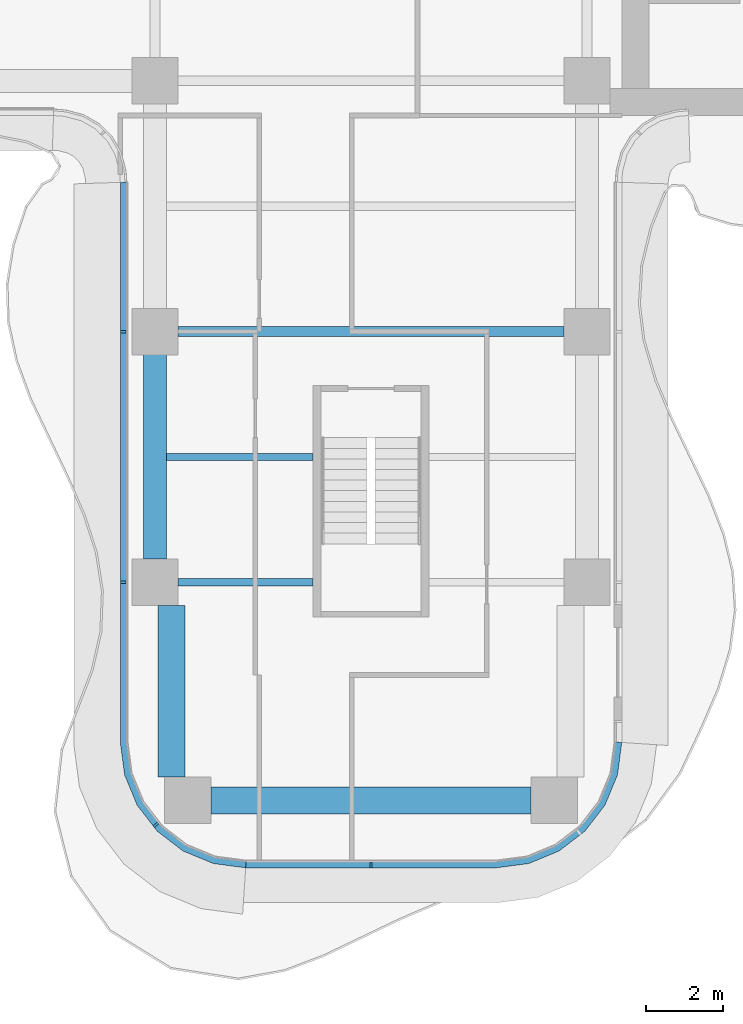
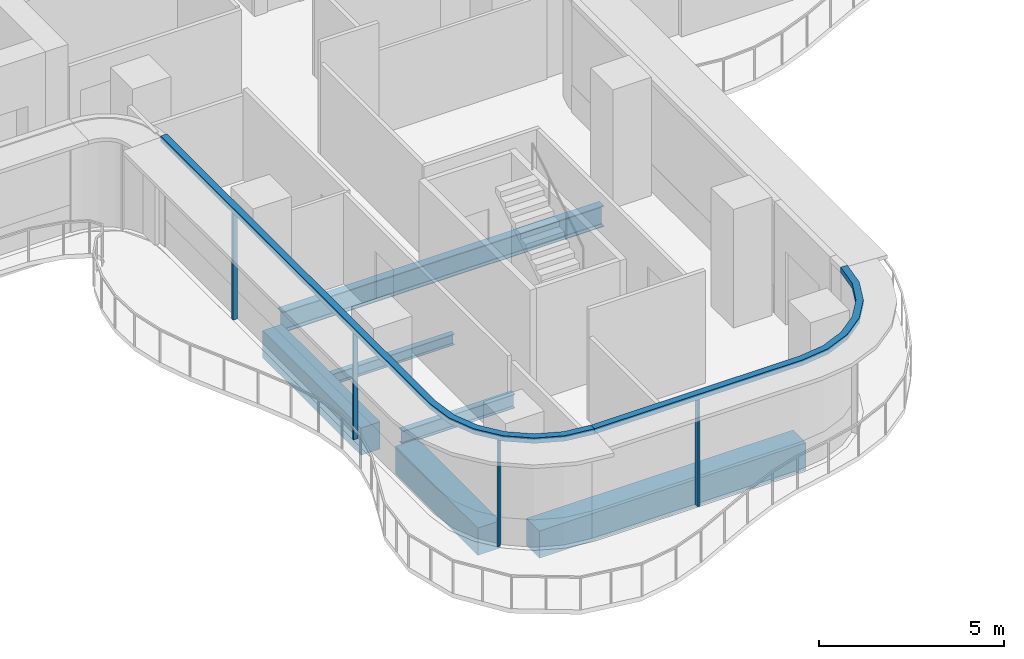
# One storey, part 2 of 18: 6 beams, 6 members, 2 elements without a shape of their own.
"""IFC4 building model written with IfcOpenShell, lengths in metres."""

from ifc_helpers import new_model, si_unit, direction, frame, origin, origin_2d, place, context, subcontext, project, spatial, polyline, rectangle, i_section, outline, extrude, source, transform, mapped, material, layer, layer_set, material_profile, profile_set, type_object, element, aggregate, save


model = new_model("IFC4")

# Units and contexts
model_context = context("Model", 3, precision=1e-05, world=origin(), true_north=direction((0.0, 1.0)))
body_context = subcontext(model_context, "Body", "Model", "MODEL_VIEW")
ifc_project = project(units=[si_unit("LENGTHUNIT", "METRE"), si_unit("AREAUNIT", "SQUARE_METRE"), si_unit("VOLUMEUNIT", "CUBIC_METRE"), si_unit("PLANEANGLEUNIT", "RADIAN"), si_unit("MASSUNIT", "GRAM", prefix="KILO")], contexts=[model_context])

# Site, building, storey
site_placement = place(None, origin())
site = spatial("IfcSite", under=ifc_project, at=site_placement, CompositionType="ELEMENT")
building_placement = place(site_placement, origin())
building = spatial("IfcBuilding", under=site, at=building_placement, Name="Trellis Farm Tower", CompositionType="ELEMENT")
storey_placement = place(building_placement, frame((0.0, 0.0, 169.800048828125)))
storey = spatial("IfcBuildingStorey", under=building, at=storey_placement, Name="L36", CompositionType="ELEMENT", Elevation=169.800048828125)

# Beams
ifc_material_1 = material(Name="Steel S355", Category="steel")
ifc_material_profile_1 = material_profile(ifc_material_1, i_section(OverallWidth=0.1904296875, OverallDepth=0.45703125, WebThickness=0.009033203125, FlangeThickness=0.014404296875, FilletRadius=0.01025390625, at=origin_2d()), Name="UB 457x191x74")
ifc_profile_set_1 = profile_set([ifc_material_profile_1], Name="Steel S355")
beam_type_1 = type_object("IfcBeamType", Name="UB 457x191x74", PredefinedType="BEAM", material=ifc_profile_set_1)
shared_shape_1 = source(origin(), body_context, "Body", "SweptSolid", [
    extrude(i_section(OverallWidth=0.1904296875, OverallDepth=0.45703125, WebThickness=0.009033203125, FlangeThickness=0.014404296875, FilletRadius=0.01025390625, at=origin_2d()), origin(), (0.0, 0.0, 1.0), 3.5),
])
beam_1_placement = place(storey_placement, frame((-5.0, -18.60009765625, -0.428466796875), z_axis=(1.0, 0.0, 0.0), x_axis=(0.0, 1.0, 0.0)))
element("IfcBeam", 1, at=beam_1_placement, inside=storey, type_object=beam_type_1, Name="Girder", PredefinedType="BEAM", context=body_context, shape_type="MappedRepresentation", body=[
    mapped(shared_shape_1, transform((0.0, 0.0, 0.0))),
])
ifc_material_2 = material(Name="Concrete C60/75", Category="concrete")
ifc_material_profile_2 = material_profile(ifc_material_2, rectangle(XDim=0.60009765625, YDim=0.89990234375, at=origin_2d()), Name="RC spandrel beam 600x900 C60/75")
ifc_profile_set_2 = profile_set([ifc_material_profile_2], Name="Concrete C60/75")
beam_type_2 = type_object("IfcBeamType", Name="RC spandrel beam 600x900 C60/75", PredefinedType="SPANDREL", material=ifc_profile_set_2)
shared_shape_2 = source(origin(), body_context, "Body", "SweptSolid", [
    extrude(rectangle(XDim=0.60009765625, YDim=0.89990234375, at=origin_2d()), origin(), (0.0, 0.0, 1.0), 5.300048828125),
])
beam_2_placement = place(storey_placement, frame((-5.60009765625, -18.0, -0.650146484375), z_axis=(0.0, 1.0, 0.0), x_axis=(-1.0, 0.0, 0.0)))
element("IfcBeam", 2, at=beam_2_placement, inside=storey, type_object=beam_type_2, Name="Girder", PredefinedType="SPANDREL", context=body_context, shape_type="MappedRepresentation", body=[
    mapped(shared_shape_2, transform((0.0, 0.0, 0.0))),
])
ifc_material_profile_3 = material_profile(ifc_material_1, i_section(OverallWidth=0.253662109375, OverallDepth=0.68359375, WebThickness=0.012451171875, FlangeThickness=0.021728515625, FilletRadius=0.01513671875, at=origin_2d()), Name="UB 686x254x140")
ifc_profile_set_3 = profile_set([ifc_material_profile_3], Name="Steel S355")
beam_type_3 = type_object("IfcBeamType", Name="UB 686x254x140", PredefinedType="BEAM", material=ifc_profile_set_3)
shared_shape_3 = source(origin(), body_context, "Body", "SweptSolid", [
    extrude(i_section(OverallWidth=0.253662109375, OverallDepth=0.68359375, WebThickness=0.012451171875, FlangeThickness=0.021728515625, FilletRadius=0.01513671875, at=origin_2d()), origin(), (0.0, 0.0, 1.0), 10.0),
])
beam_3_placement = place(storey_placement, frame((-5.0, -12.10009765625, -0.541748046875), z_axis=(1.0, 0.0, 0.0), x_axis=(0.0, 1.0, 0.0)))
element("IfcBeam", 3, at=beam_3_placement, inside=storey, type_object=beam_type_3, Name="Girder", PredefinedType="BEAM", context=body_context, shape_type="MappedRepresentation", body=[
    mapped(shared_shape_3, transform((0.0, 0.0, 0.0))),
])
ifc_material_profile_4 = material_profile(ifc_material_2, rectangle(XDim=0.699951171875, YDim=0.89990234375, at=origin_2d()), Name="RC spandrel beam 700x900 C60/75")
ifc_profile_set_4 = profile_set([ifc_material_profile_4], Name="Concrete C60/75")
beam_type_4 = type_object("IfcBeamType", Name="RC spandrel beam 700x900 C60/75", PredefinedType="SPANDREL", material=ifc_profile_set_4)
shared_shape_4 = source(origin(), body_context, "Body", "SweptSolid", [
    extrude(rectangle(XDim=0.699951171875, YDim=0.89990234375, at=origin_2d()), origin(), (0.0, 0.0, 1.0), 8.2998046875),
])
beam_4_placement = place(storey_placement, frame((-4.14990234375, -24.25, -0.650146484375), z_axis=(1.0, 0.0, 0.0), x_axis=(0.0, 1.0, 0.0)))
element("IfcBeam", 4, at=beam_4_placement, inside=storey, type_object=beam_type_4, Name="Girder", PredefinedType="SPANDREL", context=body_context, shape_type="MappedRepresentation", body=[
    mapped(shared_shape_4, transform((0.0, 0.0, 0.0))),
])
shared_shape_5 = source(origin(), body_context, "Body", "SweptSolid", [
    extrude(rectangle(XDim=0.699951171875, YDim=0.89990234375, at=origin_2d()), origin(), (0.0, 0.0, 1.0), 4.449951171875),
])
beam_5_placement = place(storey_placement, frame((-5.175048828125, -23.64990234375, -0.650146484375), z_axis=(0.0, 1.0, 0.0), x_axis=(-1.0, 0.0, 0.0)))
element("IfcBeam", 5, at=beam_5_placement, inside=storey, type_object=beam_type_4, Name="Girder", PredefinedType="SPANDREL", context=body_context, shape_type="MappedRepresentation", body=[
    mapped(shared_shape_5, transform((0.0, 0.0, 0.0))),
])
ifc_material_profile_5 = material_profile(ifc_material_1, i_section(OverallWidth=0.17138671875, OverallDepth=0.35498046875, WebThickness=0.00732421875, FlangeThickness=0.011474609375, FilletRadius=0.01025390625, at=origin_2d()), Name="UB 356x171x51")
ifc_profile_set_5 = profile_set([ifc_material_profile_5], Name="Steel S355")
beam_type_5 = type_object("IfcBeamType", Name="UB 356x171x51 joist", PredefinedType="JOIST", material=ifc_profile_set_5)
shared_shape_6 = source(origin(), body_context, "Body", "SweptSolid", [
    extrude(i_section(OverallWidth=0.17138671875, OverallDepth=0.35498046875, WebThickness=0.00732421875, FlangeThickness=0.011474609375, FilletRadius=0.01025390625, at=origin_2d()), origin(), (0.0, 0.0, 1.0), 3.800048828125),
])
beam_6_placement = place(storey_placement, frame((-5.300048828125, -15.35009765625, -0.37744140625), z_axis=(1.0, 0.0, 0.0), x_axis=(0.0, 1.0, 0.0)))
element("IfcBeam", 6, at=beam_6_placement, inside=storey, type_object=beam_type_5, Name="Floor beam", PredefinedType="JOIST", context=body_context, shape_type="MappedRepresentation", body=[
    mapped(shared_shape_6, transform((0.0, 0.0, 0.0))),
])

# Curtain wall, member
ifc_material_3 = material(Name="Aluminium and glass curtain wall", Category="aluminium")
ifc_layer_1 = layer(ifc_material_3, 0.18994140625)
ifc_layer_set_1 = layer_set([ifc_layer_1], Name="RIBBON CURTAIN WALL CW1")
curtain_wall_type = type_object("IfcCurtainWallType", Name="RIBBON CURTAIN WALL CW1", PredefinedType="NOTDEFINED", material=ifc_layer_set_1)
placement_1 = place(storey_placement, origin())
curtain_wall_1 = element("IfcCurtainWall", 7, at=placement_1, inside=storey, type_object=curtain_wall_type, Name="CW1 002", PredefinedType="NOTDEFINED")
ifc_material_4 = material(Name="Aluminium extrusion 6063-T6", Category="aluminium")
ifc_layer_2 = layer(ifc_material_4, 0.199951171875)
ifc_layer_set_2 = layer_set([ifc_layer_2], Name="Aluminium extrusion 6063-T6")
member_type_1 = type_object("IfcMemberType", Name="CW1 TRANSOM 200x180", PredefinedType="USERDEFINED", material=ifc_layer_set_2)
shared_shape_7 = source(origin(), body_context, "Body", "SweptSolid", [
    extrude(outline(polyline([(-6.5, -8.2314453125), (-6.5, -22.75), (-6.38916015625, -23.591064453125), (-6.064697265625, -24.375), (-5.548095703125, -25.048095703125), (-4.875, -25.564697265625), (-4.091064453125, -25.88916015625), (-3.25, -26.0), (-3.23681640625, -25.800048828125), (-4.0390625, -25.6943359375), (-4.774169921875, -25.389892578125), (-5.405517578125, -24.905517578125), (-5.889892578125, -24.274169921875), (-6.1943359375, -23.5390625), (-6.300048828125, -22.73681640625), (-6.300048828125, -8.224853515625), (-6.5, -8.2314453125)])), origin(), (0.0, 0.0, 1.0), 0.179931640625),
])
placement_2 = place(storey_placement, frame((0.0, 0.0, 3.52001953125)))
member_1 = element("IfcMember", 8, at=placement_2, type_object=member_type_1, Name="TR1 002", ObjectType="TRANSOM", PredefinedType="USERDEFINED", context=body_context, shape_type="MappedRepresentation", body=[
    mapped(shared_shape_7, transform((0.0, 0.0, 0.0))),
])

curtain_wall_2 = element("IfcCurtainWall", 9, at=placement_1, inside=storey, type_object=curtain_wall_type, Name="CW1 003", PredefinedType="NOTDEFINED")
shared_shape_8 = source(origin(), body_context, "Body", "SweptSolid", [
    extrude(outline(polyline([(-3.25, -26.0), (3.25, -26.0), (4.091064453125, -25.88916015625), (4.875, -25.564697265625), (5.548095703125, -25.048095703125), (6.064697265625, -24.375), (6.38916015625, -23.591064453125), (6.5, -22.75), (6.300048828125, -22.73681640625), (6.1943359375, -23.5390625), (5.889892578125, -24.274169921875), (5.405517578125, -24.905517578125), (4.774169921875, -25.389892578125), (4.0390625, -25.6943359375), (3.23681640625, -25.800048828125), (-3.23681640625, -25.800048828125), (-3.25, -26.0)])), origin(), (0.0, 0.0, 1.0), 0.179931640625),
])
member_2 = element("IfcMember", 10, at=placement_2, type_object=member_type_1, Name="TR1 003", ObjectType="TRANSOM", PredefinedType="USERDEFINED", context=body_context, shape_type="MappedRepresentation", body=[
    mapped(shared_shape_8, transform((0.0, 0.0, 0.0))),
])

# Member
ifc_material_profile_6 = material_profile(ifc_material_4, rectangle(XDim=0.06005859375, YDim=0.14990234375, at=origin_2d()), Name="MULLION 60x150")
ifc_profile_set_6 = profile_set([ifc_material_profile_6], Name="Aluminium extrusion 6063-T6")
member_type_2 = type_object("IfcMemberType", Name="CW1 MULLION 60x150", PredefinedType="MULLION", material=ifc_profile_set_6)
shared_shape_9 = source(origin(), body_context, "Body", "SweptSolid", [
    extrude(rectangle(XDim=0.06005859375, YDim=0.14990234375, at=origin_2d()), origin(), (0.0, 0.0, 1.0), 3.52001953125),
])
member_3_placement = place(storey_placement, frame((-6.425048828125, -12.10009765625, 0.0), z_axis=(0.0, 0.0, 1.0), x_axis=(0.0, -1.0, 0.0)))
member_3 = element("IfcMember", 11, at=member_3_placement, type_object=member_type_2, Name="MU1 002-01", PredefinedType="MULLION", context=body_context, shape_type="MappedRepresentation", body=[
    mapped(shared_shape_9, transform((0.0, 0.0, 0.0))),
])

member_4_placement = place(storey_placement, frame((-6.425048828125, -18.60009765625, 0.0), z_axis=(0.0, 0.0, 1.0), x_axis=(0.0, -1.0, 0.0)))
member_4 = element("IfcMember", 12, at=member_4_placement, type_object=member_type_2, Name="MU1 002-02", PredefinedType="MULLION", context=body_context, shape_type="MappedRepresentation", body=[
    mapped(shared_shape_9, transform((0.0, 0.0, 0.0))),
])

member_5_placement = place(storey_placement, frame((-5.578369140625, -24.885498046875, 0.0), z_axis=(0.0, 0.0, 1.0), x_axis=(0.608761429009, -0.793353340291, 0.0)))
member_5 = element("IfcMember", 13, at=member_5_placement, type_object=member_type_2, Name="MU1 002-03", PredefinedType="MULLION", context=body_context, shape_type="MappedRepresentation", body=[
    mapped(shared_shape_9, transform((0.0, 0.0, 0.0))),
])

aggregate(curtain_wall_1, [member_3, member_4, member_5, member_1])

member_6_placement = place(storey_placement, frame((0.0, -25.925048828125, 0.0), z_axis=(0.0, 0.0, 1.0), x_axis=(1.0, 0.0, 0.0)))
member_6 = element("IfcMember", 14, at=member_6_placement, type_object=member_type_2, Name="MU1 003-01", PredefinedType="MULLION", context=body_context, shape_type="MappedRepresentation", body=[
    mapped(shared_shape_9, transform((0.0, 0.0, 0.0))),
])

aggregate(curtain_wall_2, [member_6, member_2])

save(model, "model.ifc")
